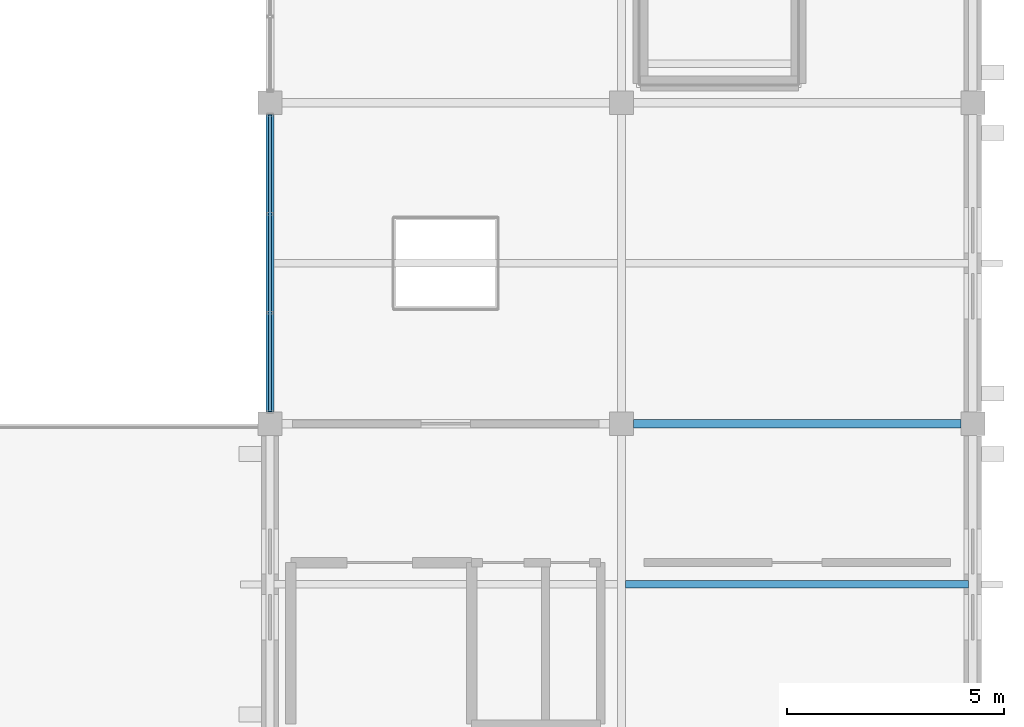
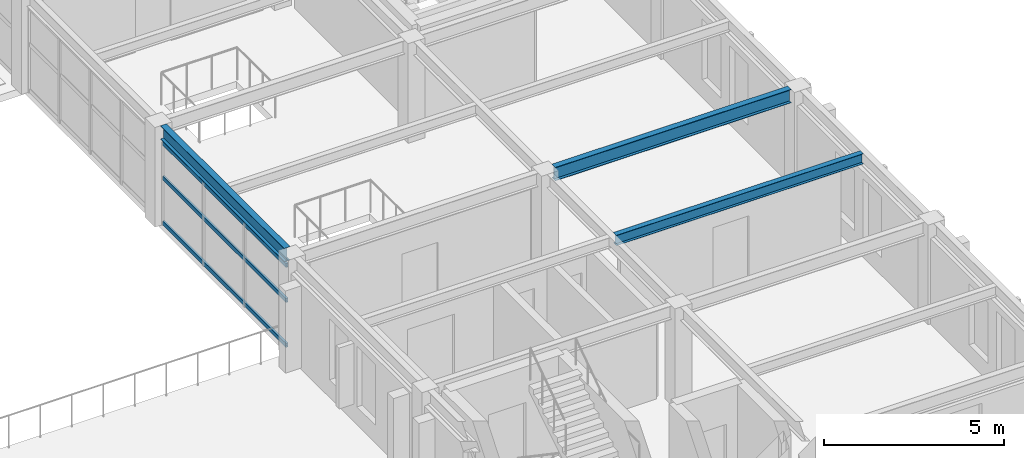
# One storey, part 77 of 121: 3 beams, 3 members, 1 element without a shape of its own.
"""IFC4 building model written with IfcOpenShell, lengths in metres."""

from ifc_helpers import new_model, si_unit, direction, frame, origin, origin_2d, place, context, subcontext, project, spatial, hollow_rectangle, i_section, extrude, material, material_profile, profile_set, type_object, element, aggregate, save


model = new_model("IFC4")

# Units and contexts
model_context = context("Model", 3, precision=1e-05, world=origin(), true_north=direction((0.0, 1.0)))
body_context = subcontext(model_context, "Body", "Model", "MODEL_VIEW")
ifc_project = project(units=[si_unit("LENGTHUNIT", "METRE"), si_unit("AREAUNIT", "SQUARE_METRE"), si_unit("VOLUMEUNIT", "CUBIC_METRE"), si_unit("PLANEANGLEUNIT", "RADIAN"), si_unit("MASSUNIT", "GRAM", prefix="KILO")], contexts=[model_context])

# Site, building, storey
site_placement = place(None, origin())
site = spatial("IfcSite", under=ifc_project, at=site_placement, CompositionType="ELEMENT")
building_placement = place(site_placement, origin())
building = spatial("IfcBuilding", under=site, at=building_placement, Name="Cimatlan Art Gallery", CompositionType="ELEMENT")
storey_placement = place(building_placement, frame((0.0, 0.0, 10.199951171875)))
storey = spatial("IfcBuildingStorey", under=building, at=storey_placement, Name="L02", CompositionType="ELEMENT", Elevation=10.199951171875)

# Beams
ifc_material_1 = material(Name="Steel ASTM A992 Grade 50", Category="steel")
ifc_material_profile_1 = material_profile(ifc_material_1, i_section(OverallWidth=0.1708984375, OverallDepth=0.35107421875, WebThickness=0.0068359375, FlangeThickness=0.009765625, at=origin_2d()), Name="W14X30")
ifc_profile_set_1 = profile_set([ifc_material_profile_1], Name="Steel ASTM A992 Grade 50")
beam_type_1 = type_object("IfcBeamType", Name="BM-STL-W14X30", PredefinedType="JOIST", material=ifc_profile_set_1)
beam_1_placement = place(storey_placement, frame((155.99560546875, 35.0, 3.194580078125), z_axis=(1.0, 0.0, 0.0), x_axis=(0.0, 1.0, 0.0)))
element("IfcBeam", 1, at=beam_1_placement, inside=storey, type_object=beam_type_1, Name="JST-L02-19-04", PredefinedType="JOIST", context=body_context, shape_type="SweptSolid", body=[
    extrude(i_section(OverallWidth=0.1708984375, OverallDepth=0.35107421875, WebThickness=0.0068359375, FlangeThickness=0.009765625, at=origin_2d()), origin(), (0.0, 0.0, 1.0), 7.908935546875),
])
ifc_material_profile_2 = material_profile(ifc_material_1, i_section(OverallWidth=0.19091796875, OverallDepth=0.45703125, WebThickness=0.009033203125, FlangeThickness=0.014404296875, at=origin_2d()), Name="W18X50")
ifc_profile_set_2 = profile_set([ifc_material_profile_2], Name="Steel ASTM A992 Grade 50")
beam_type_2 = type_object("IfcBeamType", Name="BM-STL-W18X50", PredefinedType="BEAM", material=ifc_profile_set_2)
beam_2_placement = place(storey_placement, frame((147.800048828125, 38.97509765625, 3.1416015625), z_axis=(0.0, 1.0, 0.0), x_axis=(-1.0, 0.0, 0.0)))
element("IfcBeam", 2, at=beam_2_placement, inside=storey, type_object=beam_type_2, Name="BM-Y-L02-18-05", PredefinedType="BEAM", context=body_context, shape_type="SweptSolid", body=[
    extrude(i_section(OverallWidth=0.19091796875, OverallDepth=0.45703125, WebThickness=0.009033203125, FlangeThickness=0.014404296875, at=origin_2d()), origin(), (0.0, 0.0, 1.0), 6.849853515625),
])
beam_3_placement = place(storey_placement, frame((156.175048828125, 38.699951171875, 3.1416015625), z_axis=(1.0, 0.0, 0.0), x_axis=(0.0, 1.0, 0.0)))
element("IfcBeam", 3, at=beam_3_placement, inside=storey, type_object=beam_type_2, Name="BM-X-L02-19-05", PredefinedType="BEAM", context=body_context, shape_type="SweptSolid", body=[
    extrude(i_section(OverallWidth=0.19091796875, OverallDepth=0.45703125, WebThickness=0.009033203125, FlangeThickness=0.014404296875, at=origin_2d()), origin(), (0.0, 0.0, 1.0), 7.550048828125),
])

# Curtain wall, members
ifc_material_2 = material(Name="Anodised bronze unitised curtain wall")
curtain_wall_type = type_object("IfcCurtainWallType", Name="CW-V-06842X02823-B3", PredefinedType="NOTDEFINED", material=ifc_material_2)
curtain_wall_placement = place(storey_placement, origin())
curtain_wall = element("IfcCurtainWall", 4, at=curtain_wall_placement, inside=storey, type_object=curtain_wall_type, Name="CW-L02-18-05-W", PredefinedType="NOTDEFINED")
ifc_material_3 = material(Name="Anodised bronze aluminium 6063-T6", Category="aluminium")
ifc_material_profile_3 = material_profile(ifc_material_3, hollow_rectangle(XDim=0.06494140625, YDim=0.139892578125, WallThickness=0.00390625, at=origin_2d()), Name="ALU65X140X4")
ifc_profile_set_3 = profile_set([ifc_material_profile_3], Name="Anodised bronze aluminium 6063-T6")
member_type = type_object("IfcMemberType", Name="CW-TRN-140", PredefinedType="USERDEFINED", material=ifc_profile_set_3)
member_1_placement = place(storey_placement, frame((147.800048828125, 38.97900390625, 0.06005859375), z_axis=(0.0, 1.0, 0.0), x_axis=(-1.0, 0.0, 0.0)))
member_1 = element("IfcMember", 5, at=member_1_placement, type_object=member_type, Name="CW-L02-18-05-W-T1", ObjectType="TRANSOM", PredefinedType="USERDEFINED", context=body_context, shape_type="SweptSolid", body=[
    extrude(hollow_rectangle(XDim=0.06494140625, YDim=0.139892578125, WallThickness=0.00390625, at=origin_2d()), origin(), (0.0, 0.0, 1.0), 6.842041015625),
])
member_2_placement = place(storey_placement, frame((147.800048828125, 38.97900390625, 1.5810546875), z_axis=(0.0, 1.0, 0.0), x_axis=(-1.0, 0.0, 0.0)))
member_2 = element("IfcMember", 6, at=member_2_placement, type_object=member_type, Name="CW-L02-18-05-W-T2", ObjectType="TRANSOM", PredefinedType="USERDEFINED", context=body_context, shape_type="SweptSolid", body=[
    extrude(hollow_rectangle(XDim=0.06494140625, YDim=0.139892578125, WallThickness=0.00390625, at=origin_2d()), origin(), (0.0, 0.0, 1.0), 6.842041015625),
])
member_3_placement = place(storey_placement, frame((147.800048828125, 38.97900390625, 2.762939453125), z_axis=(0.0, 1.0, 0.0), x_axis=(-1.0, 0.0, 0.0)))
member_3 = element("IfcMember", 7, at=member_3_placement, type_object=member_type, Name="CW-L02-18-05-W-T3", ObjectType="TRANSOM", PredefinedType="USERDEFINED", context=body_context, shape_type="SweptSolid", body=[
    extrude(hollow_rectangle(XDim=0.06494140625, YDim=0.139892578125, WallThickness=0.00390625, at=origin_2d()), origin(), (0.0, 0.0, 1.0), 6.842041015625),
])
aggregate(curtain_wall, [member_1, member_2, member_3])

save(model, "model.ifc")
